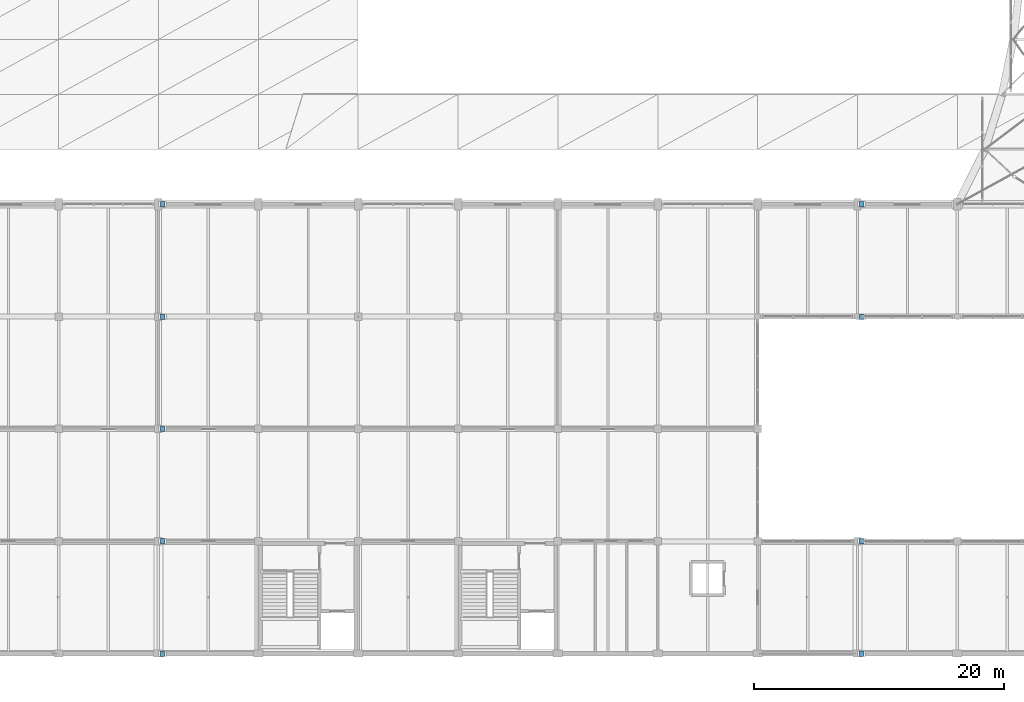
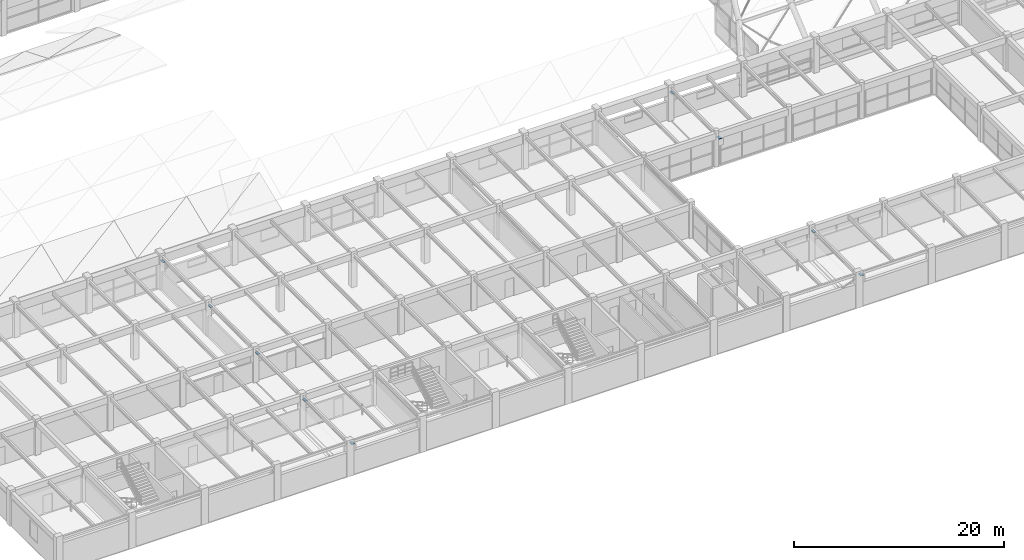
# One storey, part 119 of 126: 9 discrete accessories.
"""IFC4 building model written with IfcOpenShell, lengths in metres."""

import ifcopenshell
import ifcopenshell.guid

model = None  # the IFC model being written
_history = None  # IfcOwnerHistory: only IFC2X3 demands one
_inside = {}  # id of a spatial element -> (the spatial element, [elements in it])
_under = {}  # id of a project, library or spatial element -> (it, [spatial elements below it])
_declared = {}  # id of a project -> (the project, [libraries it declares])
_typed = {}  # id of a type object -> (the type object, [elements of that type])
_made_of = {}  # id of a material, layer set ... -> (it, [elements and type objects made of it])


def new_model(schema):
    """Start an empty IFC model of exactly this schema.

    Asked for "IFC4X3", IfcOpenShell would pick the latest addendum, in which some entities
    have other attributes; the version numbers below select the first issue.
    IFC2X3 requires an IfcOwnerHistory on every rooted entity: one is made here for all.
    """
    global model, _history
    if schema == "IFC4X3":
        model = ifcopenshell.file(schema_version=(4, 3, 0, 0))
    else:
        model = ifcopenshell.file(schema=schema)
    _inside.clear()
    _under.clear()
    _declared.clear()
    _typed.clear()
    _made_of.clear()
    _history = None
    if model.schema == "IFC2X3":
        org = make("IfcOrganization", Name="unknown")
        user = make(
            "IfcPersonAndOrganization",
            ThePerson=make("IfcPerson", FamilyName="unknown"),
            TheOrganization=org,
        )
        app = make(
            "IfcApplication",
            ApplicationDeveloper=org,
            Version="unknown",
            ApplicationFullName="unknown",
            ApplicationIdentifier="unknown",
        )
        _history = make(
            "IfcOwnerHistory",
            OwningUser=user,
            OwningApplication=app,
            ChangeAction="ADDED",
            CreationDate=0,
        )
    return model


def make(cls, **values):
    """One entity of the class cls with the attributes given. An attribute that is None is left unset."""
    return model.create_entity(
        cls, **{name: value for name, value in values.items() if value is not None}
    )


def rooted(cls, **values):
    """An entity with a GlobalId (a new one), such as an element, a storey or a relation."""
    return make(cls, GlobalId=ifcopenshell.guid.new(), OwnerHistory=_history, **values)


def si_unit(unit_type, name, prefix=None):
    """IfcSIUnit, for example si_unit("LENGTHUNIT", "METRE", prefix="MILLI")."""
    return make("IfcSIUnit", UnitType=unit_type, Prefix=prefix, Name=name)


def assignment(units):
    """IfcUnitAssignment: the units of a project."""
    return None if units is None else make("IfcUnitAssignment", Units=units)


def point(xyz):
    """IfcCartesianPoint."""
    return None if xyz is None else make("IfcCartesianPoint", Coordinates=xyz)


def direction(xyz):
    """IfcDirection."""
    return None if xyz is None else make("IfcDirection", DirectionRatios=xyz)


def frame(location, z_axis=None, x_axis=None):
    """IfcAxis2Placement3D, a coordinate frame: its origin and axes. An axis left out is left unset."""
    return make(
        "IfcAxis2Placement3D",
        Location=point(location),
        Axis=direction(z_axis),
        RefDirection=direction(x_axis),
    )


def frame_2d(location, x_axis=None):
    """IfcAxis2Placement2D, a coordinate frame in the plane: its origin and x axis."""
    return make(
        "IfcAxis2Placement2D", Location=point(location), RefDirection=direction(x_axis)
    )


def origin():
    """The frame at (0, 0, 0) with its axes left unset."""
    return frame((0.0, 0.0, 0.0))


def origin_2d():
    """The frame at (0, 0) in the plane with its x axis left unset."""
    return frame_2d((0.0, 0.0))


def place(relative_to, where):
    """IfcLocalPlacement: puts the frame where relative to a parent placement (None: the world)."""
    return make(
        "IfcLocalPlacement", PlacementRelTo=relative_to, RelativePlacement=where
    )


def context(
    kind, dimensions, precision=None, world=None, true_north=None, identifier=None
):
    """IfcGeometricRepresentationContext, for example the 3D "Model" context."""
    return make(
        "IfcGeometricRepresentationContext",
        ContextIdentifier=identifier,
        ContextType=kind,
        CoordinateSpaceDimension=dimensions,
        Precision=precision,
        WorldCoordinateSystem=world,
        TrueNorth=true_north,
    )


def subcontext(parent, identifier, kind, view, scale=None):
    """IfcGeometricRepresentationSubContext, for example "Body" below "Model"."""
    return make(
        "IfcGeometricRepresentationSubContext",
        ContextIdentifier=identifier,
        ContextType=kind,
        ParentContext=parent,
        TargetScale=scale,
        TargetView=view,
    )


def project(units=None, contexts=None):
    """IfcProject with its units and contexts."""
    return rooted(
        "IfcProject",
        Name="project",
        RepresentationContexts=contexts,
        UnitsInContext=assignment(units),
    )


def spatial(cls, under=None, at=None, **own):
    """A site, building, storey or space (cls), placed at a placement, below another one or the project."""
    s = rooted(cls, ObjectPlacement=at, **own)
    if under is not None:
        _under.setdefault(under.id(), (under, []))[1].append(s)
    return s


def profile(cls, at=None, kind="AREA", **sizes):
    """A parametric profile (cls). Its sizes go by their IFC names, for example OverallWidth=200.0."""
    return make(cls, ProfileType=kind, Position=at, **sizes)


def rectangle(**sizes):
    """IfcRectangleProfileDef."""
    return profile("IfcRectangleProfileDef", **sizes)


def extrude(swept, where, along, depth):
    """IfcExtrudedAreaSolid: the profile swept, set in the frame where, extruded along a direction by depth."""
    return make(
        "IfcExtrudedAreaSolid",
        SweptArea=swept,
        Position=where,
        ExtrudedDirection=direction(along),
        Depth=depth,
    )


def shape(context_of_items, identifier, shape_type, items):
    """IfcShapeRepresentation: the items that make up one representation, for example the "Body"."""
    return make(
        "IfcShapeRepresentation",
        ContextOfItems=context_of_items,
        RepresentationIdentifier=identifier,
        RepresentationType=shape_type,
        Items=items,
    )


def material(Name=None, Category=None):
    """IfcMaterial."""
    return make("IfcMaterial", Name=Name, Category=Category)


def layer(
    of_material, thickness, ventilated=None, Name=None, Category=None, Priority=None
):
    """IfcMaterialLayer: one layer of a wall or slab, of a material (None: an air gap)."""
    return make(
        "IfcMaterialLayer",
        Material=of_material,
        LayerThickness=thickness,
        IsVentilated=ventilated,
        Name=Name,
        Category=Category,
        Priority=Priority,
    )


def layer_set(layers, Name=None):
    """IfcMaterialLayerSet."""
    return make("IfcMaterialLayerSet", MaterialLayers=layers, LayerSetName=Name)


def made_of(thing, what):
    """Note that an element or type object is made of a material, layer set ...; save() writes the relation."""
    if what is not None:
        _made_of.setdefault(what.id(), (what, []))[1].append(thing)
    return thing


def type_object(cls, material=None, **own):
    """A type object (cls), such as IfcWallType, which elements share."""
    return made_of(rooted(cls, **own), material)


def element(
    cls,
    number,
    at=None,
    inside=None,
    cuts=None,
    type_object=None,
    material=None,
    context=None,
    identifier="Body",
    shape_type=None,
    held_by="IfcProductDefinitionShape",
    body=None,
    shapes=None,
    **own,
):
    """One element of the class cls, such as IfcWall. Its Tag is "e" and its number.

    at: its placement. inside: the storey or other place that contains it. cuts: it is an
    opening in that element (IfcRelVoidsElement). A single representation is given by context,
    identifier, shape_type and body (its items); several are given by shapes. held_by: the class
    of the entity that holds the representations. save() writes the other relations.
    """
    e = rooted(cls, Tag="e%d" % number, ObjectPlacement=at, **own)
    if body is not None:
        shapes = [shape(context, identifier, shape_type, body)]
    if shapes is not None:
        e.Representation = make(held_by, Representations=shapes)
    if inside is not None:
        _inside.setdefault(inside.id(), (inside, []))[1].append(e)
    if cuts is not None:
        rooted(
            "IfcRelVoidsElement", RelatingBuildingElement=cuts, RelatedOpeningElement=e
        )
    if type_object is not None:
        _typed.setdefault(type_object.id(), (type_object, []))[1].append(e)
    return made_of(e, material)


def aggregate(whole, parts):
    """IfcRelAggregates: a whole, such as a stair, and the parts it consists of."""
    return rooted("IfcRelAggregates", RelatingObject=whole, RelatedObjects=parts)


def save(model, path):
    """Write the relations noted so far, then the file.

    IfcRelAggregates (storeys below a building ...), IfcRelContainedInSpatialStructure (elements
    in a storey), IfcRelDefinesByType, IfcRelAssociatesMaterial and IfcRelDeclares: one each for
    every whole, place, type object, material and project.
    """
    for whole, parts in _under.values():
        aggregate(whole, parts)
    for where, things in _inside.values():
        rooted(
            "IfcRelContainedInSpatialStructure",
            RelatedElements=things,
            RelatingStructure=where,
        )
    for kind, things in _typed.values():
        rooted("IfcRelDefinesByType", RelatedObjects=things, RelatingType=kind)
    for what, things in _made_of.values():
        rooted("IfcRelAssociatesMaterial", RelatedObjects=things, RelatingMaterial=what)
    for by, libraries in _declared.values():
        rooted("IfcRelDeclares", RelatingContext=by, RelatedDefinitions=libraries)
    model.write(path)


model = new_model("IFC4")

# Units and contexts
model_context = context("Model", 3, precision=1e-05, world=origin(), true_north=direction((0.0, 1.0)))
body_context = subcontext(model_context, "Body", "Model", "MODEL_VIEW")
ifc_project = project(units=[si_unit("LENGTHUNIT", "METRE"), si_unit("AREAUNIT", "SQUARE_METRE"), si_unit("VOLUMEUNIT", "CUBIC_METRE"), si_unit("PLANEANGLEUNIT", "RADIAN"), si_unit("MASSUNIT", "GRAM", prefix="KILO")], contexts=[model_context])

# Site, building, storey
site_placement = place(None, origin())
site = spatial("IfcSite", under=ifc_project, at=site_placement, CompositionType="ELEMENT")
building_placement = place(site_placement, origin())
building = spatial("IfcBuilding", under=site, at=building_placement, Name="Varnabhumi Central Station", CompositionType="ELEMENT")
storey_placement = place(building_placement, frame((0.0, 0.0, 16.199951171875)))
storey = spatial("IfcBuildingStorey", under=building, at=storey_placement, Name="L03", CompositionType="ELEMENT", Elevation=16.199951171875)

# Discrete accessories
ifc_material = material(Name="Structural steel E350", Category="steel")
ifc_layer = layer(ifc_material, 0.080078125, Name="Structural steel E350", Category="steel")
ifc_layer_set = layer_set([ifc_layer], Name="Structural steel E350")
discrete_accessory_type = type_object("IfcDiscreteAccessoryType", Name="ACC-BEARING-SHOE", PredefinedType="SHOE", material=ifc_layer_set)
for number, where, z_axis, x_axis, name in (
    (1, (64.324951171875, 0.0, 3.5400390625), (0.0, 0.0, 1.0), (1.0, 0.0, 0.0), "Movement Joint Bearing L03-A-9"),
    (2, (64.324951171875, 9.0, 3.090087890625), (0.0, 0.0, 1.0), (1.0, 0.0, 0.0), "Movement Joint Bearing L03-B-9"),
    (3, (64.324951171875, 18.0, 3.090087890625), (0.0, 0.0, 1.0), (1.0, 0.0, 0.0), "Movement Joint Bearing L03-C-9"),
    (4, (64.324951171875, 27.0, 3.090087890625), (0.0, 0.0, 1.0), (1.0, 0.0, 0.0), "Movement Joint Bearing L03-D-9"),
    (5, (64.324951171875, 36.0, 2.840087890625), (0.0, 0.0, 1.0), (1.0, 0.0, 0.0), "Movement Joint Bearing L03-E-9"),
    (6, (120.324951171875, 0.0, 3.5400390625), (0.0, 0.0, 1.0), (1.0, 0.0, 0.0), "Movement Joint Bearing L03-A-16"),
    (7, (120.324951171875, 9.0, 3.090087890625), (0.0, 0.0, 1.0), (1.0, 0.0, 0.0), "Movement Joint Bearing L03-B-16"),
    (8, (120.324951171875, 27.0, 3.090087890625), (0.0, 0.0, 1.0), (1.0, 0.0, 0.0), "Movement Joint Bearing L03-D-16"),
    (9, (120.324951171875, 36.0, 2.840087890625), (0.0, 0.0, 1.0), (1.0, 0.0, 0.0), "Movement Joint Bearing L03-E-16"),
):
    element("IfcDiscreteAccessory", number, at=place(storey_placement, frame(where, z_axis=z_axis, x_axis=x_axis)), inside=storey, type_object=discrete_accessory_type, Name=name, PredefinedType="SHOE", context=body_context, shape_type="SweptSolid", body=[
        extrude(rectangle(XDim=0.300048828125, YDim=0.449951171875, at=origin_2d()), origin(), (0.0, 0.0, 1.0), 0.080078125),
    ])

save(model, "model.ifc")
